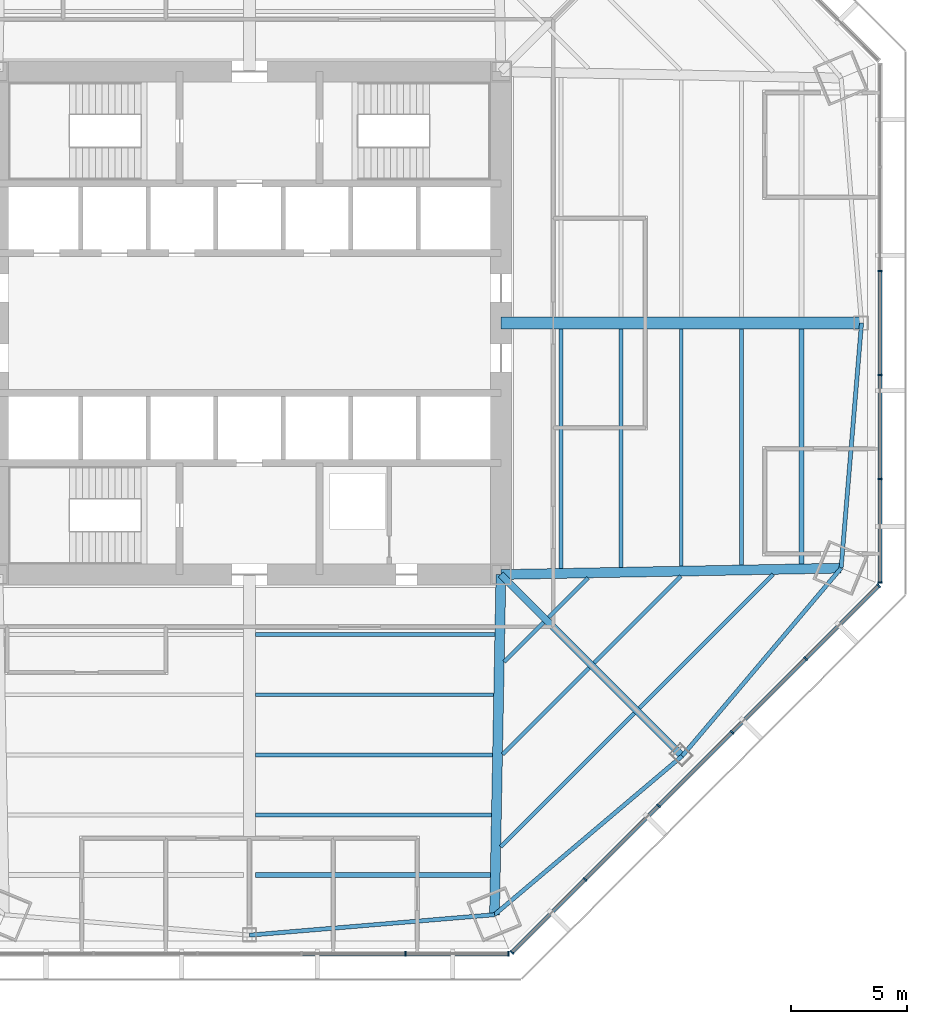
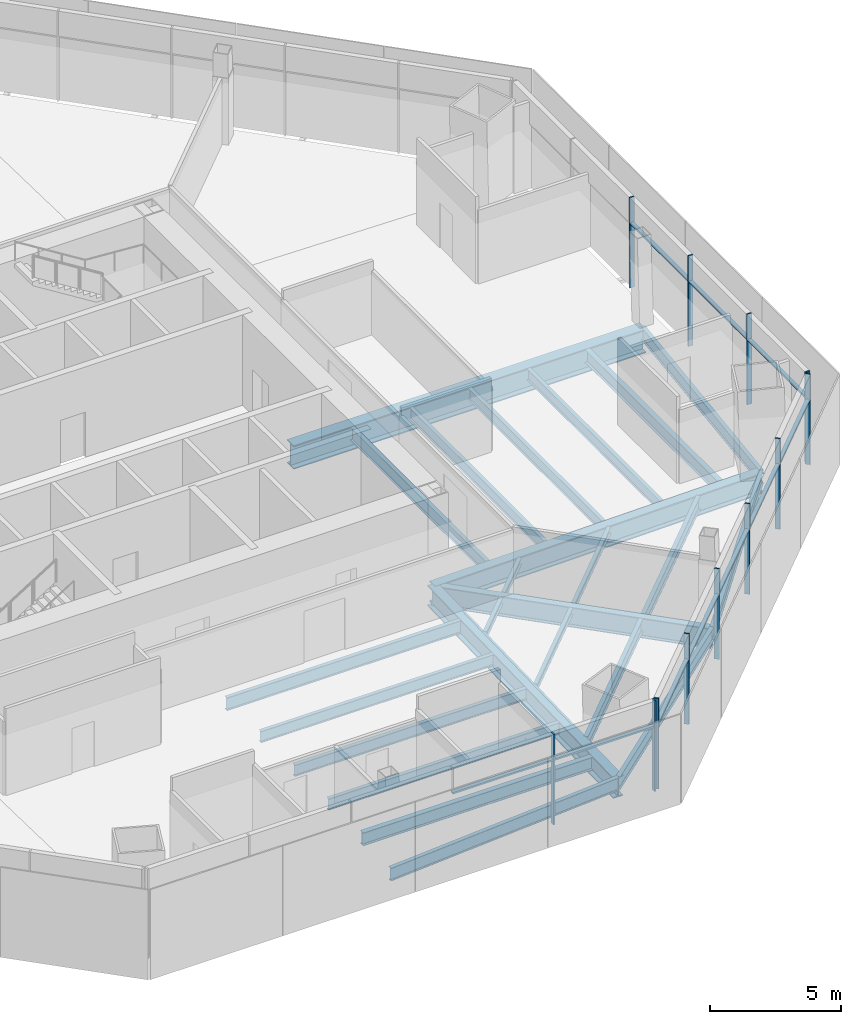
# One storey, part 4 of 14: 24 beams, 22 members, 3 elements without a shape of their own.
"""IFC4 building model written with IfcOpenShell, lengths in metres."""

from ifc_helpers import new_model, si_unit, direction, frame, origin, origin_2d, place, context, subcontext, project, spatial, rectangle, i_section, extrude, source, transform, mapped, material, material_profile, profile_set, type_object, type_shapes, element, aggregate, save


model = new_model("IFC4")

# Units and contexts
model_context = context("Model", 3, precision=1e-05, world=origin(), true_north=direction((0.0, 1.0)))
body_context = subcontext(model_context, "Body", "Model", "MODEL_VIEW")
ifc_project = project(units=[si_unit("LENGTHUNIT", "METRE"), si_unit("AREAUNIT", "SQUARE_METRE"), si_unit("VOLUMEUNIT", "CUBIC_METRE"), si_unit("PLANEANGLEUNIT", "RADIAN"), si_unit("MASSUNIT", "GRAM", prefix="KILO")], contexts=[model_context])

# Site, building, storey
site_placement = place(None, origin())
site = spatial("IfcSite", under=ifc_project, at=site_placement, CompositionType="ELEMENT")
building_placement = place(site_placement, origin())
building = spatial("IfcBuilding", under=site, at=building_placement, Name="Mashrafa Tower", CompositionType="ELEMENT")
storey_placement = place(building_placement, frame((0.0, 0.0, 33.0)))
storey = spatial("IfcBuildingStorey", under=building, at=storey_placement, Name="L06", CompositionType="ELEMENT", Elevation=33.0)

# Beams
ifc_material_1 = material(Name="Steel ASTM A572 Gr 50", Category="steel")
ifc_material_profile_1 = material_profile(ifc_material_1, i_section(OverallWidth=0.5, OverallDepth=1.10009765625, WebThickness=0.02490234375, FlangeThickness=0.050048828125, at=origin_2d()), Name="H1100X500X25X50")
ifc_profile_set_1 = profile_set([ifc_material_profile_1], Name="Steel ASTM A572 Gr 50")
beam_type_1 = type_object("IfcBeamType", Name="Beam H1100X500X25X50", PredefinedType="BEAM", material=ifc_profile_set_1)
beam_1_placement = place(storey_placement, frame((10.800048828125, 0.0, -0.715087890625), z_axis=(1.0, 0.0, 0.0), x_axis=(0.0, 1.0, 0.0)))
element("IfcBeam", 1, at=beam_1_placement, inside=storey, type_object=beam_type_1, Name="Radial girder L06 077", PredefinedType="BEAM", context=body_context, shape_type="SweptSolid", body=[
    extrude(i_section(OverallWidth=0.5, OverallDepth=1.10009765625, WebThickness=0.02490234375, FlangeThickness=0.050048828125, at=origin_2d()), origin(), (0.0, 0.0, 1.0), 15.48583984375),
])
ifc_material_2 = material(Name="Steel ASTM A992", Category="steel")
ifc_material_profile_2 = material_profile(ifc_material_2, i_section(OverallWidth=0.164794921875, OverallDepth=0.309814453125, WebThickness=0.005859375, FlangeThickness=0.009765625, FilletRadius=0.007568359375, at=origin_2d()), Name="W12X26")
ifc_profile_set_2 = profile_set([ifc_material_profile_2], Name="Steel ASTM A992")
beam_type_2 = type_object("IfcBeamType", Name="Beam W12X26", PredefinedType="BEAM", material=ifc_profile_set_2)
beam_2_placement = place(storey_placement, frame((12.637939453125, -12.85546875, -0.31982421875), z_axis=(-0.707055904705, -0.707157654008, 0.0), x_axis=(0.707157654008, -0.707055904705, 0.0)))
element("IfcBeam", 2, at=beam_2_placement, inside=storey, type_object=beam_type_2, Name="Floor beam L06 046", PredefinedType="BEAM", context=body_context, shape_type="SweptSolid", body=[
    extrude(i_section(OverallWidth=0.164794921875, OverallDepth=0.309814453125, WebThickness=0.005859375, FlangeThickness=0.009765625, FilletRadius=0.007568359375, at=origin_2d()), origin(), (0.0, 0.0, 1.0), 2.3994140625),
])
beam_3_placement = place(storey_placement, frame((14.584716796875, -14.80224609375, -0.31982421875), z_axis=(-0.707129994317, -0.707083567294, 0.0), x_axis=(0.707083567294, -0.707129994317, 0.0)))
element("IfcBeam", 3, at=beam_3_placement, inside=storey, type_object=beam_type_2, Name="Floor beam L06 050", PredefinedType="BEAM", context=body_context, shape_type="SweptSolid", body=[
    extrude(i_section(OverallWidth=0.164794921875, OverallDepth=0.309814453125, WebThickness=0.005859375, FlangeThickness=0.009765625, FilletRadius=0.007568359375, at=origin_2d()), origin(), (0.0, 0.0, 1.0), 5.258544921875),
])
beam_4_placement = place(storey_placement, frame((14.55224609375, -10.94140625, -0.31982421875), z_axis=(-0.707157654008, -0.707055904705, 0.0), x_axis=(0.707055904705, -0.707157654008, 0.0)))
element("IfcBeam", 4, at=beam_4_placement, inside=storey, type_object=beam_type_2, Name="Floor beam L06 052", PredefinedType="BEAM", context=body_context, shape_type="SweptSolid", body=[
    extrude(i_section(OverallWidth=0.164794921875, OverallDepth=0.309814453125, WebThickness=0.005859375, FlangeThickness=0.009765625, FilletRadius=0.007568359375, at=origin_2d()), origin(), (0.0, 0.0, 1.0), 2.3994140625),
])
beam_5_placement = place(storey_placement, frame((18.5205078125, -10.8662109375, -0.31982421875), z_axis=(-0.707083567294, -0.707129994317, 0.0), x_axis=(0.707129994317, -0.707083567294, 0.0)))
element("IfcBeam", 5, at=beam_5_placement, inside=storey, type_object=beam_type_2, Name="Floor beam L06 059", PredefinedType="BEAM", context=body_context, shape_type="SweptSolid", body=[
    extrude(i_section(OverallWidth=0.164794921875, OverallDepth=0.309814453125, WebThickness=0.005859375, FlangeThickness=0.009765625, FilletRadius=0.007568359375, at=origin_2d()), origin(), (0.0, 0.0, 1.0), 5.258544921875),
])
ifc_material_3 = material(Name="Steel ASTM A992", Category="steel")
ifc_material_profile_3 = material_profile(ifc_material_3, i_section(OverallWidth=0.165771484375, OverallDepth=0.5283203125, WebThickness=0.009765625, FlangeThickness=0.013671875, FilletRadius=0.012939453125, at=origin_2d()), Name="W21X50")
ifc_profile_set_3 = profile_set([ifc_material_profile_3], Name="Steel ASTM A992")
beam_type_3 = type_object("IfcBeamType", Name="Beam W21X50", PredefinedType="BEAM", material=ifc_profile_set_3)
beam_6_placement = place(storey_placement, frame((10.39306640625, -21.123779296875, -0.42919921875), z_axis=(-1.0, 0.0, 0.0), x_axis=(0.0, -1.0, 0.0)))
element("IfcBeam", 6, at=beam_6_placement, inside=storey, type_object=beam_type_3, Name="Floor beam L06 040", PredefinedType="BEAM", context=body_context, shape_type="SweptSolid", body=[
    extrude(i_section(OverallWidth=0.165771484375, OverallDepth=0.5283203125, WebThickness=0.009765625, FlangeThickness=0.013671875, FilletRadius=0.012939453125, at=origin_2d()), origin(), (0.0, 0.0, 1.0), 10.14306640625),
])
beam_7_placement = place(storey_placement, frame((10.441650390625, -18.54296875, -0.42919921875), z_axis=(-1.0, 0.0, 0.0), x_axis=(0.0, -1.0, 0.0)))
element("IfcBeam", 7, at=beam_7_placement, inside=storey, type_object=beam_type_3, Name="Floor beam L06 042", PredefinedType="BEAM", context=body_context, shape_type="SweptSolid", body=[
    extrude(i_section(OverallWidth=0.165771484375, OverallDepth=0.5283203125, WebThickness=0.009765625, FlangeThickness=0.013671875, FilletRadius=0.012939453125, at=origin_2d()), origin(), (0.0, 0.0, 1.0), 10.191650390625),
])
for number, where, z_axis, x_axis, name in (
    (8, (10.490478515625, -15.9619140625, -0.42919921875), (-1.0, 0.0, 0.0), (0.0, -1.0, 0.0), "Floor beam L06 043"),
    (9, (15.9619140625, -0.25, -0.42919921875), (0.0, -1.0, 0.0), (1.0, 0.0, 0.0), "Floor beam L06 053"),
):
    element("IfcBeam", number, at=place(storey_placement, frame(where, z_axis=z_axis, x_axis=x_axis)), inside=storey, type_object=beam_type_3, Name=name, PredefinedType="BEAM", context=body_context, shape_type="SweptSolid", body=[
        extrude(i_section(OverallWidth=0.165771484375, OverallDepth=0.5283203125, WebThickness=0.009765625, FlangeThickness=0.013671875, FilletRadius=0.012939453125, at=origin_2d()), origin(), (0.0, 0.0, 1.0), 10.240478515625),
    ])
beam_8_placement = place(storey_placement, frame((18.54296875, -0.25, -0.42919921875), z_axis=(0.0, -1.0, 0.0), x_axis=(1.0, 0.0, 0.0)))
element("IfcBeam", 10, at=beam_8_placement, inside=storey, type_object=beam_type_3, Name="Floor beam L06 057", PredefinedType="BEAM", context=body_context, shape_type="SweptSolid", body=[
    extrude(i_section(OverallWidth=0.165771484375, OverallDepth=0.5283203125, WebThickness=0.009765625, FlangeThickness=0.013671875, FilletRadius=0.012939453125, at=origin_2d()), origin(), (0.0, 0.0, 1.0), 10.191650390625),
])
beam_9_placement = place(storey_placement, frame((21.123779296875, -0.25, -0.42919921875), z_axis=(0.0, -1.0, 0.0), x_axis=(1.0, 0.0, 0.0)))
element("IfcBeam", 11, at=beam_9_placement, inside=storey, type_object=beam_type_3, Name="Floor beam L06 060", PredefinedType="BEAM", context=body_context, shape_type="SweptSolid", body=[
    extrude(i_section(OverallWidth=0.165771484375, OverallDepth=0.5283203125, WebThickness=0.009765625, FlangeThickness=0.013671875, FilletRadius=0.012939453125, at=origin_2d()), origin(), (0.0, 0.0, 1.0), 10.14306640625),
])
ifc_material_4 = material(Name="Steel ASTM A992", Category="steel")
ifc_material_profile_4 = material_profile(ifc_material_4, i_section(OverallWidth=0.177978515625, OverallDepth=0.599365234375, WebThickness=0.010009765625, FlangeThickness=0.012939453125, FilletRadius=0.012939453125, at=origin_2d()), Name="W24X55")
ifc_profile_set_4 = profile_set([ifc_material_profile_4], Name="Steel ASTM A992")
beam_type_4 = type_object("IfcBeamType", Name="Beam W24X55", PredefinedType="BEAM", material=ifc_profile_set_4)
for number, where, z_axis, x_axis, name in (
    (12, (10.539306640625, -13.381103515625, -0.464599609375), (-1.0, 0.0, 0.0), (0.0, -1.0, 0.0), "Floor beam L06 045"),
    (13, (13.381103515625, -0.25, -0.464599609375), (0.0, -1.0, 0.0), (1.0, 0.0, 0.0), "Floor beam L06 048"),
):
    element("IfcBeam", number, at=place(storey_placement, frame(where, z_axis=z_axis, x_axis=x_axis)), inside=storey, type_object=beam_type_4, Name=name, PredefinedType="BEAM", context=body_context, shape_type="SweptSolid", body=[
        extrude(i_section(OverallWidth=0.177978515625, OverallDepth=0.599365234375, WebThickness=0.010009765625, FlangeThickness=0.012939453125, FilletRadius=0.012939453125, at=origin_2d()), origin(), (0.0, 0.0, 1.0), 10.289306640625),
    ])
for number, where, z_axis, x_axis, name in (
    (14, (16.531494140625, -16.748779296875, -0.464599609375), (-0.70709174356, -0.707121818493, 0.0), (0.707121818493, -0.70709174356, 0.0), "Floor beam L06 055"),
    (15, (22.489013671875, -10.79150390625, -0.464599609375), (-0.707121818493, -0.70709174356, 0.0), (0.70709174356, -0.707121818493, 0.0), "Floor beam L06 062"),
):
    element("IfcBeam", number, at=place(storey_placement, frame(where, z_axis=z_axis, x_axis=x_axis)), inside=storey, type_object=beam_type_4, Name=name, PredefinedType="BEAM", context=body_context, shape_type="SweptSolid", body=[
        extrude(i_section(OverallWidth=0.177978515625, OverallDepth=0.599365234375, WebThickness=0.010009765625, FlangeThickness=0.012939453125, FilletRadius=0.012939453125, at=origin_2d()), origin(), (0.0, 0.0, 1.0), 8.11767578125),
    ])
for number, where, z_axis, x_axis, name in (
    (16, (0.0, -26.285888671875, -0.464599609375), (0.996536664613, 0.083154531343, 0.0), (-0.083154531343, 0.996536664613, 0.0), "Spandrel beam L06 088"),
    (17, (10.524169921875, -25.40771484375, -0.464599609375), (0.763457307454, 0.645858296916, 0.0), (-0.645858296916, 0.763457307454, 0.0), "Spandrel beam L06 090"),
    (18, (18.5869140625, -18.5869140625, -0.464599609375), (0.645858296916, 0.763457307454, 0.0), (-0.763457307454, 0.645858296916, 0.0), "Spandrel beam L06 092"),
    (19, (25.40771484375, -10.524169921875, -0.464599609375), (0.083154531343, 0.996536664613, 0.0), (-0.996536664613, 0.083154531343, 0.0), "Spandrel beam L06 094"),
):
    element("IfcBeam", number, at=place(storey_placement, frame(where, z_axis=z_axis, x_axis=x_axis)), inside=storey, type_object=beam_type_4, Name=name, PredefinedType="BEAM", context=body_context, shape_type="SweptSolid", body=[
        extrude(i_section(OverallWidth=0.177978515625, OverallDepth=0.599365234375, WebThickness=0.010009765625, FlangeThickness=0.012939453125, FilletRadius=0.012939453125, at=origin_2d()), origin(), (0.0, 0.0, 1.0), 10.560791015625),
    ])
ifc_material_5 = material(Name="Steel ASTM A992", Category="steel")
ifc_material_profile_5 = material_profile(ifc_material_5, i_section(OverallWidth=0.227783203125, OverallDepth=0.60205078125, WebThickness=0.010498046875, FlangeThickness=0.014892578125, FilletRadius=0.012939453125, at=origin_2d()), Name="W24X68")
ifc_profile_set_5 = profile_set([ifc_material_profile_5], Name="Steel ASTM A992")
beam_type_5 = type_object("IfcBeamType", Name="Beam W24X68", PredefinedType="BEAM", material=ifc_profile_set_5)
for number, where, z_axis, x_axis, name in (
    (20, (10.34423828125, -23.704833984375, -0.466064453125), (-1.0, 0.0, 0.0), (0.0, -1.0, 0.0), "Floor beam L06 038"),
    (21, (23.704833984375, -0.25, -0.466064453125), (0.0, -1.0, 0.0), (1.0, 0.0, 0.0), "Floor beam L06 063"),
):
    element("IfcBeam", number, at=place(storey_placement, frame(where, z_axis=z_axis, x_axis=x_axis)), inside=storey, type_object=beam_type_5, Name=name, PredefinedType="BEAM", context=body_context, shape_type="SweptSolid", body=[
        extrude(i_section(OverallWidth=0.227783203125, OverallDepth=0.60205078125, WebThickness=0.010498046875, FlangeThickness=0.014892578125, FilletRadius=0.012939453125, at=origin_2d()), origin(), (0.0, 0.0, 1.0), 10.09423828125),
    ])
ifc_material_6 = material(Name="Steel ASTM A992", Category="steel")
ifc_material_profile_6 = material_profile(ifc_material_6, i_section(OverallWidth=0.307373046875, OverallDepth=0.927001953125, WebThickness=0.01953125, FlangeThickness=0.031982421875, FilletRadius=0.01904296875, at=origin_2d()), Name="W36X194")
ifc_profile_set_6 = profile_set([ifc_material_profile_6], Name="Steel ASTM A992")
beam_type_6 = type_object("IfcBeamType", Name="Beam W36X194", PredefinedType="BEAM", material=ifc_profile_set_6)
beam_10_placement = place(storey_placement, frame((10.800048828125, -10.800048828125, -0.628662109375), z_axis=(0.707106781187, -0.707106781187, 0.0), x_axis=(0.707106781187, 0.707106781187, 0.0)))
element("IfcBeam", 22, at=beam_10_placement, inside=storey, type_object=beam_type_6, Name="Radial girder L06 075", PredefinedType="BEAM", context=body_context, shape_type="SweptSolid", body=[
    extrude(i_section(OverallWidth=0.307373046875, OverallDepth=0.927001953125, WebThickness=0.01953125, FlangeThickness=0.031982421875, FilletRadius=0.01904296875, at=origin_2d()), origin(), (0.0, 0.0, 1.0), 11.01220703125),
])
ifc_material_7 = material(Name="Steel ASTM A992", Category="steel")
ifc_material_profile_7 = material_profile(ifc_material_7, i_section(OverallWidth=0.424072265625, OverallDepth=0.960205078125, WebThickness=0.028564453125, FlangeThickness=0.051025390625, FilletRadius=0.02001953125, at=origin_2d()), Name="W36X361")
ifc_profile_set_7 = profile_set([ifc_material_profile_7], Name="Steel ASTM A992")
beam_type_7 = type_object("IfcBeamType", Name="Beam W36X361", PredefinedType="BEAM", material=ifc_profile_set_7)
for number, where, z_axis, x_axis, name in (
    (23, (10.800048828125, -10.800048828125, -0.64501953125), (-0.018882531902, -0.999821709101, 0.0), (0.999821709101, -0.018882531902, 0.0), "Radial girder L06 074"),
    (24, (10.800048828125, -10.800048828125, -0.64501953125), (0.999821709101, 0.018882531902, 0.0), (-0.018882531902, 0.999821709101, 0.0), "Radial girder L06 076"),
):
    element("IfcBeam", number, at=place(storey_placement, frame(where, z_axis=z_axis, x_axis=x_axis)), inside=storey, type_object=beam_type_7, Name=name, PredefinedType="BEAM", context=body_context, shape_type="SweptSolid", body=[
        extrude(i_section(OverallWidth=0.424072265625, OverallDepth=0.960205078125, WebThickness=0.028564453125, FlangeThickness=0.051025390625, FilletRadius=0.02001953125, at=origin_2d()), origin(), (0.0, 0.0, 1.0), 14.6103515625),
    ])

# Curtain wall, members
ifc_material_8 = material(Name="Unitised aluminium curtain wall", Category="aluminium")
curtain_wall_type = type_object("IfcCurtainWallType", Name="Office curtain wall, zone 1 CW-A 200 deep", PredefinedType="NOTDEFINED", material=ifc_material_8)
curtain_wall_1_placement = place(storey_placement, origin())
curtain_wall_1 = element("IfcCurtainWall", 25, at=curtain_wall_1_placement, inside=storey, type_object=curtain_wall_type, Name="Office curtain wall, zone 1 L06 east", PredefinedType="NOTDEFINED")
ifc_material_9 = material(Name="Extruded aluminium mullion", Category="aluminium")
ifc_material_profile_8 = material_profile(ifc_material_9, rectangle(XDim=0.199951171875, YDim=0.06494140625, at=origin_2d()), Name="Mullion 65x200")
ifc_profile_set_8 = profile_set([ifc_material_profile_8], Name="Extruded aluminium mullion")
member_type_1 = type_object("IfcMemberType", Name="Mullion CW-A 65 x 200", PredefinedType="MULLION", material=ifc_profile_set_8)
shared_shape_1 = source(origin(), body_context, "Body", "SweptSolid", [
    extrude(rectangle(XDim=0.199951171875, YDim=0.06494140625, at=origin_2d()), origin(), (0.0, 0.0, 1.0), 4.199951171875),
])
type_shapes(member_type_1, [shared_shape_1])
member_1_placement = place(storey_placement, frame((27.081298828125, -11.133544921875, 0.0), z_axis=(0.0, 0.0, 1.0), x_axis=(-1.0, 0.0, 0.0)))
member_1 = element("IfcMember", 26, at=member_1_placement, type_object=member_type_1, Name="CW-A mullion 1", PredefinedType="MULLION", context=body_context, shape_type="MappedRepresentation", body=[
    mapped(shared_shape_1, transform((0.0, 0.0, 0.0))),
])
member_2_placement = place(storey_placement, frame((27.081298828125, -6.69970703125, 0.0), z_axis=(0.0, 0.0, 1.0), x_axis=(-1.0, 0.0, 0.0)))
member_2 = element("IfcMember", 27, at=member_2_placement, type_object=member_type_1, Name="CW-A mullion 2", PredefinedType="MULLION", context=body_context, shape_type="MappedRepresentation", body=[
    mapped(shared_shape_1, transform((0.0, 0.0, 0.0))),
])
member_3_placement = place(storey_placement, frame((27.081298828125, -2.233154296875, 0.0), z_axis=(0.0, 0.0, 1.0), x_axis=(-1.0, 0.0, 0.0)))
member_3 = element("IfcMember", 28, at=member_3_placement, type_object=member_type_1, Name="CW-A mullion 3", PredefinedType="MULLION", context=body_context, shape_type="MappedRepresentation", body=[
    mapped(shared_shape_1, transform((0.0, 0.0, 0.0))),
])
member_4_placement = place(storey_placement, frame((27.081298828125, 2.233154296875, 0.0), z_axis=(0.0, 0.0, 1.0), x_axis=(-1.0, 0.0, 0.0)))
member_4 = element("IfcMember", 29, at=member_4_placement, type_object=member_type_1, Name="CW-A mullion 4", PredefinedType="MULLION", context=body_context, shape_type="MappedRepresentation", body=[
    mapped(shared_shape_1, transform((0.0, 0.0, 0.0))),
])

curtain_wall_2_placement = place(storey_placement, origin())
curtain_wall_2 = element("IfcCurtainWall", 30, at=curtain_wall_2_placement, inside=storey, type_object=curtain_wall_type, Name="Office curtain wall, zone 1 L06 south", PredefinedType="NOTDEFINED")
member_5_placement = place(storey_placement, frame((6.69970703125, -27.081298828125, 0.0), z_axis=(0.0, 0.0, 1.0), x_axis=(0.0, 1.0, 0.0)))
member_5 = element("IfcMember", 31, at=member_5_placement, type_object=member_type_1, Name="CW-A mullion 5", PredefinedType="MULLION", context=body_context, shape_type="MappedRepresentation", body=[
    mapped(shared_shape_1, transform((0.0, 0.0, 0.0))),
])
member_6_placement = place(storey_placement, frame((11.133544921875, -27.081298828125, 0.0), z_axis=(0.0, 0.0, 1.0), x_axis=(0.0, 1.0, 0.0)))
member_6 = element("IfcMember", 32, at=member_6_placement, type_object=member_type_1, Name="CW-A mullion 6", PredefinedType="MULLION", context=body_context, shape_type="MappedRepresentation", body=[
    mapped(shared_shape_1, transform((0.0, 0.0, 0.0))),
])

curtain_wall_3_placement = place(storey_placement, origin())
curtain_wall_3 = element("IfcCurtainWall", 33, at=curtain_wall_3_placement, inside=storey, type_object=curtain_wall_type, Name="Office curtain wall, zone 1 L06 south-east", PredefinedType="NOTDEFINED")
member_7_placement = place(storey_placement, frame((11.27685546875, -27.021728515625, 0.0), z_axis=(0.0, 0.0, 1.0), x_axis=(-0.707106781187, 0.707106781187, 0.0)))
member_7 = element("IfcMember", 34, at=member_7_placement, type_object=member_type_1, Name="CW-A mullion 1", PredefinedType="MULLION", context=body_context, shape_type="MappedRepresentation", body=[
    mapped(shared_shape_1, transform((0.0, 0.0, 0.0))),
])
member_8_placement = place(storey_placement, frame((14.411865234375, -23.88671875, 0.0), z_axis=(0.0, 0.0, 1.0), x_axis=(-0.707106781187, 0.707106781187, 0.0)))
member_8 = element("IfcMember", 35, at=member_8_placement, type_object=member_type_1, Name="CW-A mullion 2", PredefinedType="MULLION", context=body_context, shape_type="MappedRepresentation", body=[
    mapped(shared_shape_1, transform((0.0, 0.0, 0.0))),
])
member_9_placement = place(storey_placement, frame((17.570068359375, -20.728515625, 0.0), z_axis=(0.0, 0.0, 1.0), x_axis=(-0.707106781187, 0.707106781187, 0.0)))
member_9 = element("IfcMember", 36, at=member_9_placement, type_object=member_type_1, Name="CW-A mullion 3", PredefinedType="MULLION", context=body_context, shape_type="MappedRepresentation", body=[
    mapped(shared_shape_1, transform((0.0, 0.0, 0.0))),
])
member_10_placement = place(storey_placement, frame((20.728515625, -17.570068359375, 0.0), z_axis=(0.0, 0.0, 1.0), x_axis=(-0.707106781187, 0.707106781187, 0.0)))
member_10 = element("IfcMember", 37, at=member_10_placement, type_object=member_type_1, Name="CW-A mullion 4", PredefinedType="MULLION", context=body_context, shape_type="MappedRepresentation", body=[
    mapped(shared_shape_1, transform((0.0, 0.0, 0.0))),
])
member_11_placement = place(storey_placement, frame((23.88671875, -14.411865234375, 0.0), z_axis=(0.0, 0.0, 1.0), x_axis=(-0.707106781187, 0.707106781187, 0.0)))
member_11 = element("IfcMember", 38, at=member_11_placement, type_object=member_type_1, Name="CW-A mullion 5", PredefinedType="MULLION", context=body_context, shape_type="MappedRepresentation", body=[
    mapped(shared_shape_1, transform((0.0, 0.0, 0.0))),
])
member_12_placement = place(storey_placement, frame((27.021728515625, -11.27685546875, 0.0), z_axis=(0.0, 0.0, 1.0), x_axis=(-0.707106781187, 0.707106781187, 0.0)))
member_12 = element("IfcMember", 39, at=member_12_placement, type_object=member_type_1, Name="CW-A mullion 6", PredefinedType="MULLION", context=body_context, shape_type="MappedRepresentation", body=[
    mapped(shared_shape_1, transform((0.0, 0.0, 0.0))),
])

# Member
ifc_material_10 = material(Name="Extruded aluminium transom", Category="aluminium")
ifc_material_profile_9 = material_profile(ifc_material_10, rectangle(XDim=0.159912109375, YDim=0.080078125, at=origin_2d()), Name="Transom 80x160")
ifc_profile_set_9 = profile_set([ifc_material_profile_9], Name="Extruded aluminium transom")
member_type_2 = type_object("IfcMemberType", Name="Transom CW-A 80 x 160", PredefinedType="MULLION", material=ifc_profile_set_9)
shared_shape_2 = source(origin(), body_context, "Body", "SweptSolid", [
    extrude(rectangle(XDim=0.159912109375, YDim=0.080078125, at=origin_2d()), origin(), (0.0, 0.0, 1.0), 4.368896484375),
])
member_13_placement = place(storey_placement, frame((27.081298828125, -11.10107421875, 3.0), z_axis=(0.0, 1.0, 0.0), x_axis=(-1.0, 0.0, 0.0)))
member_13 = element("IfcMember", 40, at=member_13_placement, type_object=member_type_2, Name="CW-A transom 1", PredefinedType="MULLION", context=body_context, shape_type="MappedRepresentation", body=[
    mapped(shared_shape_2, transform((0.0, 0.0, 0.0))),
])

member_14_placement = place(storey_placement, frame((6.732177734375, -27.081298828125, 3.0), z_axis=(1.0, 0.0, 0.0), x_axis=(0.0, 1.0, 0.0)))
member_14 = element("IfcMember", 41, at=member_14_placement, type_object=member_type_2, Name="CW-A transom 5", PredefinedType="MULLION", context=body_context, shape_type="MappedRepresentation", body=[
    mapped(shared_shape_2, transform((0.0, 0.0, 0.0))),
])

shared_shape_3 = source(origin(), body_context, "Body", "SweptSolid", [
    extrude(rectangle(XDim=0.159912109375, YDim=0.080078125, at=origin_2d()), origin(), (0.0, 0.0, 1.0), 4.4013671875),
])
member_15_placement = place(storey_placement, frame((27.081298828125, -6.6669921875, 3.0), z_axis=(0.0, 1.0, 0.0), x_axis=(-1.0, 0.0, 0.0)))
member_15 = element("IfcMember", 42, at=member_15_placement, type_object=member_type_2, Name="CW-A transom 2", PredefinedType="MULLION", context=body_context, shape_type="MappedRepresentation", body=[
    mapped(shared_shape_3, transform((0.0, 0.0, 0.0))),
])

member_16_placement = place(storey_placement, frame((27.081298828125, -2.20068359375, 3.0), z_axis=(0.0, 1.0, 0.0), x_axis=(-1.0, 0.0, 0.0)))
member_16 = element("IfcMember", 43, at=member_16_placement, type_object=member_type_2, Name="CW-A transom 3", PredefinedType="MULLION", context=body_context, shape_type="MappedRepresentation", body=[
    mapped(shared_shape_3, transform((0.0, 0.0, 0.0))),
])

aggregate(curtain_wall_1, [member_1, member_2, member_3, member_4, member_13, member_15, member_16])

member_17_placement = place(storey_placement, frame((2.265625, -27.081298828125, 3.0), z_axis=(1.0, 0.0, 0.0), x_axis=(0.0, 1.0, 0.0)))
member_17 = element("IfcMember", 44, at=member_17_placement, type_object=member_type_2, Name="CW-A transom 4", PredefinedType="MULLION", context=body_context, shape_type="MappedRepresentation", body=[
    mapped(shared_shape_3, transform((0.0, 0.0, 0.0))),
])

aggregate(curtain_wall_2, [member_5, member_6, member_17, member_14])

shared_shape_4 = source(origin(), body_context, "Body", "SweptSolid", [
    extrude(rectangle(XDim=0.159912109375, YDim=0.080078125, at=origin_2d()), origin(), (0.0, 0.0, 1.0), 4.36865234375),
])
member_18_placement = place(storey_placement, frame((11.2998046875, -26.998779296875, 3.0), z_axis=(0.707106781187, 0.707106781187, 0.0), x_axis=(-0.707106781187, 0.707106781187, 0.0)))
member_18 = element("IfcMember", 45, at=member_18_placement, type_object=member_type_2, Name="CW-A transom 1", PredefinedType="MULLION", context=body_context, shape_type="MappedRepresentation", body=[
    mapped(shared_shape_4, transform((0.0, 0.0, 0.0))),
])

member_19_placement = place(storey_placement, frame((23.90966796875, -14.388916015625, 3.0), z_axis=(0.707106781187, 0.707106781187, 0.0), x_axis=(-0.707106781187, 0.707106781187, 0.0)))
member_19 = element("IfcMember", 46, at=member_19_placement, type_object=member_type_2, Name="CW-A transom 5", PredefinedType="MULLION", context=body_context, shape_type="MappedRepresentation", body=[
    mapped(shared_shape_4, transform((0.0, 0.0, 0.0))),
])

shared_shape_5 = source(origin(), body_context, "Body", "SweptSolid", [
    extrude(rectangle(XDim=0.159912109375, YDim=0.080078125, at=origin_2d()), origin(), (0.0, 0.0, 1.0), 4.401123046875),
])
type_shapes(member_type_2, [shared_shape_2, shared_shape_3, shared_shape_4, shared_shape_5])
member_20_placement = place(storey_placement, frame((14.43505859375, -23.863525390625, 3.0), z_axis=(0.707106781187, 0.707106781187, 0.0), x_axis=(-0.707106781187, 0.707106781187, 0.0)))
member_20 = element("IfcMember", 47, at=member_20_placement, type_object=member_type_2, Name="CW-A transom 2", PredefinedType="MULLION", context=body_context, shape_type="MappedRepresentation", body=[
    mapped(shared_shape_5, transform((0.0, 0.0, 0.0))),
])

member_21_placement = place(storey_placement, frame((17.59326171875, -20.705322265625, 3.0), z_axis=(0.707106781187, 0.707106781187, 0.0), x_axis=(-0.707106781187, 0.707106781187, 0.0)))
member_21 = element("IfcMember", 48, at=member_21_placement, type_object=member_type_2, Name="CW-A transom 3", PredefinedType="MULLION", context=body_context, shape_type="MappedRepresentation", body=[
    mapped(shared_shape_5, transform((0.0, 0.0, 0.0))),
])

member_22_placement = place(storey_placement, frame((20.75146484375, -17.547119140625, 3.0), z_axis=(0.707106781187, 0.707106781187, 0.0), x_axis=(-0.707106781187, 0.707106781187, 0.0)))
member_22 = element("IfcMember", 49, at=member_22_placement, type_object=member_type_2, Name="CW-A transom 4", PredefinedType="MULLION", context=body_context, shape_type="MappedRepresentation", body=[
    mapped(shared_shape_5, transform((0.0, 0.0, 0.0))),
])

aggregate(curtain_wall_3, [member_7, member_8, member_9, member_10, member_11, member_12, member_18, member_20, member_21, member_22, member_19])

save(model, "model.ifc")
